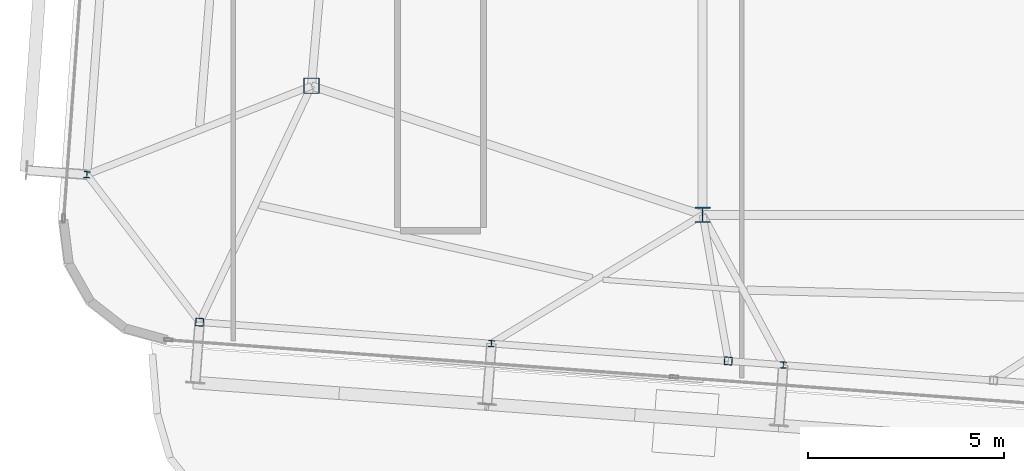
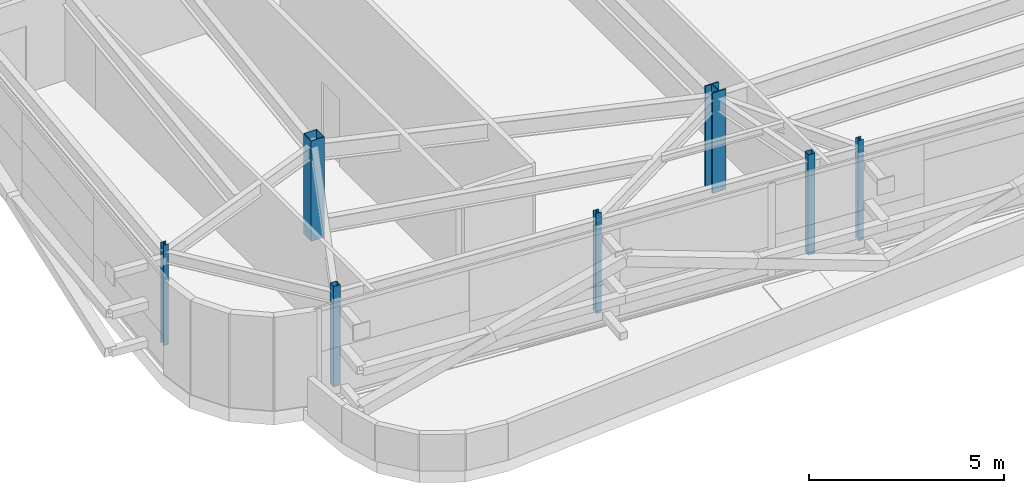
# One storey, part 1 of 37: 7 columns.
"""IFC4 building model written with IfcOpenShell, lengths in metres."""

from ifc_helpers import new_model, si_unit, direction, frame, origin, origin_2d, place, context, subcontext, project, spatial, hollow_rectangle, i_section, extrude, source, transform, mapped, material, material_profile, profile_set, type_object, element, save


model = new_model("IFC4")

# Units and contexts
model_context = context("Model", 3, precision=1e-05, world=origin(), true_north=direction((0.0, 1.0)))
body_context = subcontext(model_context, "Body", "Model", "MODEL_VIEW")
ifc_project = project(units=[si_unit("LENGTHUNIT", "METRE"), si_unit("AREAUNIT", "SQUARE_METRE"), si_unit("VOLUMEUNIT", "CUBIC_METRE"), si_unit("PLANEANGLEUNIT", "RADIAN"), si_unit("MASSUNIT", "GRAM", prefix="KILO")], contexts=[model_context])

# Site, building, storey
site_placement = place(None, origin())
site = spatial("IfcSite", under=ifc_project, at=site_placement, CompositionType="ELEMENT")
building_placement = place(site_placement, origin())
building = spatial("IfcBuilding", under=site, at=building_placement, Name="Taldren Reach Tower", CompositionType="ELEMENT")
storey_placement = place(building_placement, frame((0.0, 0.0, 211.39990234375)))
storey = spatial("IfcBuildingStorey", under=building, at=storey_placement, Name="L64", CompositionType="ELEMENT", Elevation=211.39990234375)

# Columns
ifc_material_1 = material(Name="Steel Gr 350 (350PLUS)", Category="steel")
ifc_material_profile_1 = material_profile(ifc_material_1, i_section(OverallWidth=0.39990234375, OverallDepth=0.39599609375, WebThickness=0.02197265625, FlangeThickness=0.033935546875, at=origin_2d()), Name="400WC270")
ifc_profile_set_1 = profile_set([ifc_material_profile_1], Name="Steel Gr 350 (350PLUS)")
column_type_1 = type_object("IfcColumnType", Name="COL-WC400", PredefinedType="COLUMN", material=ifc_profile_set_1)
shared_shape_1 = source(origin(), body_context, "Body", "SweptSolid", [
    extrude(i_section(OverallWidth=0.39990234375, OverallDepth=0.39599609375, WebThickness=0.02197265625, FlangeThickness=0.033935546875, at=origin_2d()), origin(), (0.0, 0.0, 1.0), 3.150146484375),
])
column_1_placement = place(storey_placement, frame((28.0, 9.199951171875, 0.0), z_axis=(0.0, 0.0, 1.0), x_axis=(1.0, 0.0, 0.0)))
element("IfcColumn", 1, at=column_1_placement, inside=storey, type_object=column_type_1, Name="Mega column MC-PJW L64", PredefinedType="COLUMN", context=body_context, shape_type="MappedRepresentation", body=[
    mapped(shared_shape_1, transform((0.0, 0.0, 0.0), scale=1.0)),
])
ifc_material_2 = material(Name="Steel Gr 450 (C450L0)", Category="steel")
ifc_material_profile_2 = material_profile(ifc_material_2, hollow_rectangle(XDim=0.39990234375, YDim=0.39990234375, WallThickness=0.01611328125, at=origin_2d()), Name="400x400x16.0SHS")
ifc_profile_set_2 = profile_set([ifc_material_profile_2], Name="Steel Gr 450 (C450L0)")
column_type_2 = type_object("IfcColumnType", Name="COL-SHS400", PredefinedType="COLUMN", material=ifc_profile_set_2)
shared_shape_2 = source(origin(), body_context, "Body", "SweptSolid", [
    extrude(hollow_rectangle(XDim=0.39990234375, YDim=0.39990234375, WallThickness=0.01611328125, at=origin_2d()), origin(), (0.0, 0.0, 1.0), 3.150146484375),
])
column_2_placement = place(storey_placement, frame((18.0, 12.5, 0.0), z_axis=(0.0, 0.0, 1.0), x_axis=(1.0, 0.0, 0.0)))
element("IfcColumn", 2, at=column_2_placement, inside=storey, type_object=column_type_2, Name="Mega column MC-SW L64", PredefinedType="COLUMN", context=body_context, shape_type="MappedRepresentation", body=[
    mapped(shared_shape_2, transform((0.0, 0.0, 0.0), scale=1.0)),
])
ifc_material_3 = material(Name="Steel Gr 350 (C350L0)", Category="steel")
ifc_material_profile_3 = material_profile(ifc_material_3, hollow_rectangle(XDim=0.199951171875, YDim=0.199951171875, WallThickness=0.009033203125, at=origin_2d()), Name="200x200x9.0SHS")
ifc_profile_set_3 = profile_set([ifc_material_profile_3], Name="Steel Gr 350 (C350L0)")
column_type_3 = type_object("IfcColumnType", Name="COL-SHS200", PredefinedType="COLUMN", material=ifc_profile_set_3)
shared_shape_3 = source(origin(), body_context, "Body", "SweptSolid", [
    extrude(hollow_rectangle(XDim=0.199951171875, YDim=0.199951171875, WallThickness=0.009033203125, at=origin_2d()), origin(), (0.0, 0.0, 1.0), 3.150146484375),
])
for number, where, z_axis, x_axis, name in (
    (3, (15.140625, 6.460205078125, 0.0), (0.0, 0.0, 1.0), (0.997314477224, -0.073238197128, 0.0), "Block B5 perimeter column S1 L64"),
    (4, (28.654296875, 5.4677734375, 0.0), (0.0, 0.0, 1.0), (0.997314477224, -0.073238197128, 0.0), "Block B5 perimeter column PJ1 L64"),
):
    element("IfcColumn", number, at=place(storey_placement, frame(where, z_axis=z_axis, x_axis=x_axis)), inside=storey, type_object=column_type_3, Name=name, PredefinedType="COLUMN", context=body_context, shape_type="MappedRepresentation", body=[
        mapped(shared_shape_3, transform((0.0, 0.0, 0.0), scale=1.0)),
    ])
ifc_material_profile_4 = material_profile(ifc_material_1, i_section(OverallWidth=0.154052734375, OverallDepth=0.162109375, WebThickness=0.008056640625, FlangeThickness=0.011474609375, at=origin_2d()), Name="150UC37.2")
ifc_profile_set_4 = profile_set([ifc_material_profile_4], Name="Steel Gr 350 (350PLUS)")
column_type_4 = type_object("IfcColumnType", Name="COL-UC150", PredefinedType="COLUMN", material=ifc_profile_set_4)
shared_shape_4 = source(origin(), body_context, "Body", "SweptSolid", [
    extrude(i_section(OverallWidth=0.154052734375, OverallDepth=0.162109375, WebThickness=0.008056640625, FlangeThickness=0.011474609375, at=origin_2d()), origin(), (0.0, 0.0, 1.0), 3.150146484375),
])
for number, where, z_axis, x_axis, name in (
    (5, (22.6005859375, 5.912353515625, 0.0), (0.0, 0.0, 1.0), (0.997314477224, -0.073238197128, 0.0), "Block B5 perimeter column S2 L64"),
    (6, (30.060546875, 5.364501953125, 0.0), (0.0, 0.0, 1.0), (0.997314477224, -0.073238197128, 0.0), "Block B5 perimeter column S3 L64"),
    (7, (12.259033203125, 10.2314453125, 0.0), (0.0, 0.0, 1.0), (0.997314477224, -0.073238197128, 0.0), "Block B5 perimeter column W1 L64"),
):
    element("IfcColumn", number, at=place(storey_placement, frame(where, z_axis=z_axis, x_axis=x_axis)), inside=storey, type_object=column_type_4, Name=name, PredefinedType="COLUMN", context=body_context, shape_type="MappedRepresentation", body=[
        mapped(shared_shape_4, transform((0.0, 0.0, 0.0), scale=1.0)),
    ])

save(model, "model.ifc")
